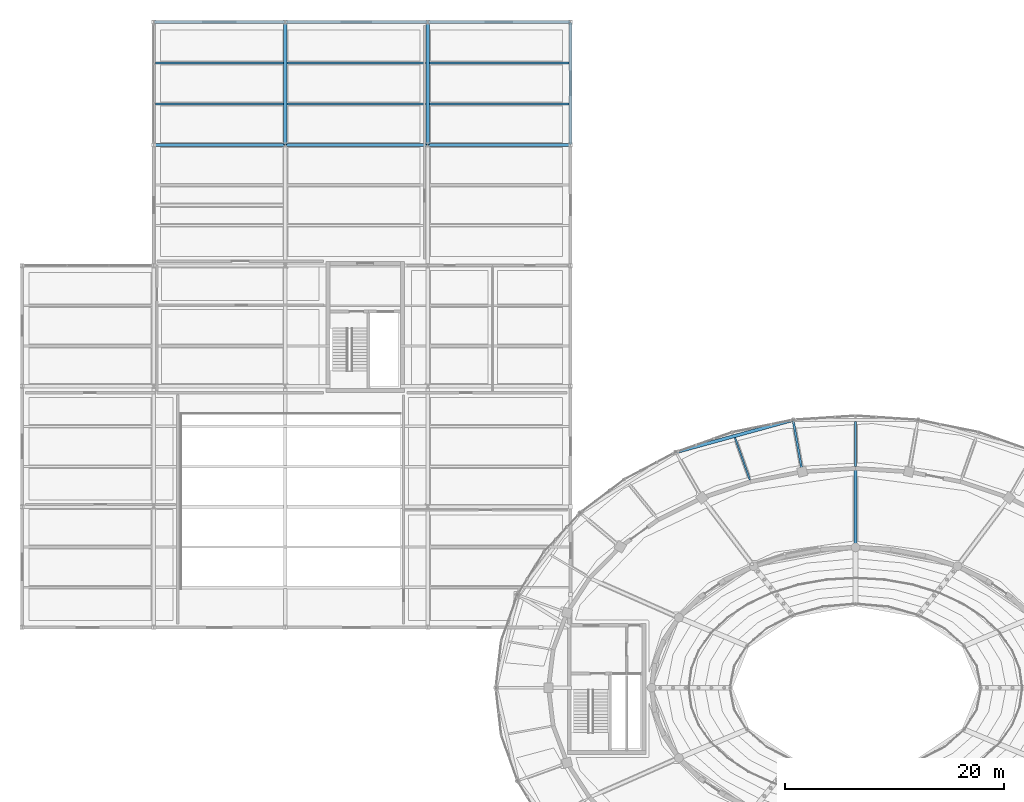
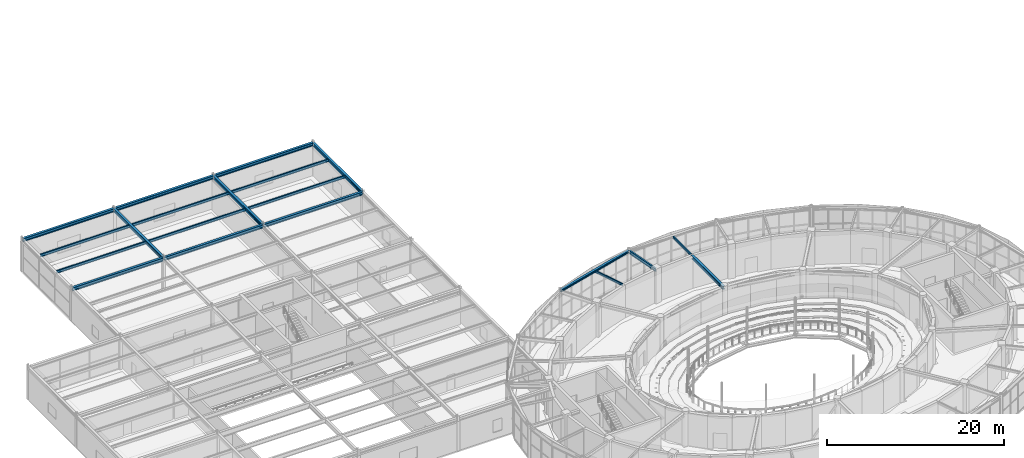
# One storey, part 49 of 100: 20 beams.
"""IFC4 building model written with IfcOpenShell, lengths in metres."""

from ifc_helpers import new_model, si_unit, direction, frame, origin, origin_2d, place, context, subcontext, project, spatial, i_section, extrude, material, material_profile, profile_set, type_object, element, save


model = new_model("IFC4")

# Units and contexts
model_context = context("Model", 3, precision=1e-05, world=origin(), true_north=direction((0.0, 1.0)))
body_context = subcontext(model_context, "Body", "Model", "MODEL_VIEW")
ifc_project = project(units=[si_unit("LENGTHUNIT", "METRE"), si_unit("AREAUNIT", "SQUARE_METRE"), si_unit("VOLUMEUNIT", "CUBIC_METRE"), si_unit("PLANEANGLEUNIT", "RADIAN"), si_unit("MASSUNIT", "GRAM", prefix="KILO")], contexts=[model_context])

# Site, building, storey
site_placement = place(None, origin())
site = spatial("IfcSite", under=ifc_project, at=site_placement, CompositionType="ELEMENT")
building_placement = place(site_placement, origin())
building = spatial("IfcBuilding", under=site, at=building_placement, Name="Tarnveldt Headland Concert Hall", CompositionType="ELEMENT")
storey_placement = place(building_placement, frame((0.0, 0.0, 4.800048828125)))
storey = spatial("IfcBuildingStorey", under=building, at=storey_placement, Name="L01", CompositionType="ELEMENT", Elevation=4.800048828125)

# Beams
ifc_material = material(Name="Steel S355", Category="steel")
ifc_material_profile_1 = material_profile(ifc_material, i_section(OverallWidth=0.300048828125, OverallDepth=0.2900390625, WebThickness=0.008544921875, FlangeThickness=0.013916015625, FilletRadius=0.027099609375, at=origin_2d()), Name="HEA300", Category="steel")
ifc_profile_set_1 = profile_set([ifc_material_profile_1], Name="Steel S355")
beam_type_1 = type_object("IfcBeamType", Name="SB-HEA300", PredefinedType="SPANDREL", material=ifc_profile_set_1)
beam_1_placement = place(storey_placement, frame((77.74658203125, 78.9072265625, 4.39501953125), z_axis=(-0.964161617091, -0.265315616065, 0.0), x_axis=(0.265315616065, -0.964161617091, 0.0)))
element("IfcBeam", 1, at=beam_1_placement, inside=storey, type_object=beam_type_1, Name="Framing beam L01-693", PredefinedType="SPANDREL", context=body_context, shape_type="SweptSolid", body=[
    extrude(i_section(OverallWidth=0.300048828125, OverallDepth=0.2900390625, WebThickness=0.008544921875, FlangeThickness=0.013916015625, FilletRadius=0.027099609375, at=origin_2d()), origin(), (0.0, 0.0, 1.0), 10.982421875),
])
ifc_material_profile_2 = material_profile(ifc_material, i_section(OverallWidth=0.300048828125, OverallDepth=0.449951171875, WebThickness=0.013916015625, FlangeThickness=0.02587890625, FilletRadius=0.027099609375, at=origin_2d()), Name="HEB450", Category="steel")
ifc_profile_set_2 = profile_set([ifc_material_profile_2], Name="Steel S355")
beam_type_2 = type_object("IfcBeamType", Name="SB-HEB450", PredefinedType="BEAM", material=ifc_profile_set_2)
beam_2_placement = place(storey_placement, frame((83.5, 67.340087890625, 4.31494140625), z_axis=(0.0, 1.0, 0.0), x_axis=(-1.0, 0.0, 0.0)))
element("IfcBeam", 2, at=beam_2_placement, inside=storey, type_object=beam_type_2, Name="Framing beam L01-738", PredefinedType="BEAM", context=body_context, shape_type="SweptSolid", body=[
    extrude(i_section(OverallWidth=0.300048828125, OverallDepth=0.449951171875, WebThickness=0.013916015625, FlangeThickness=0.02587890625, FilletRadius=0.027099609375, at=origin_2d()), origin(), (0.0, 0.0, 1.0), 7.119873046875),
])
beam_3_placement = place(storey_placement, frame((19.56005859375, 104.0, 4.31494140625), z_axis=(1.0, 0.0, 0.0), x_axis=(0.0, 1.0, 0.0)))
element("IfcBeam", 3, at=beam_3_placement, inside=storey, type_object=beam_type_2, Name="Framing beam L01-933", PredefinedType="BEAM", context=body_context, shape_type="SweptSolid", body=[
    extrude(i_section(OverallWidth=0.300048828125, OverallDepth=0.449951171875, WebThickness=0.013916015625, FlangeThickness=0.02587890625, FilletRadius=0.027099609375, at=origin_2d()), origin(), (0.0, 0.0, 1.0), 11.8798828125),
])
for number, where, z_axis, x_axis, name in (
    (4, (31.56005859375, 104.0, 4.31494140625), (1.0, 0.0, 0.0), (0.0, 1.0, 0.0), "Framing beam L01-934"),
    (5, (44.56005859375, 104.0, 4.31494140625), (1.0, 0.0, 0.0), (0.0, 1.0, 0.0), "Framing beam L01-935"),
):
    element("IfcBeam", number, at=place(storey_placement, frame(where, z_axis=z_axis, x_axis=x_axis)), inside=storey, type_object=beam_type_2, Name=name, PredefinedType="BEAM", context=body_context, shape_type="SweptSolid", body=[
        extrude(i_section(OverallWidth=0.300048828125, OverallDepth=0.449951171875, WebThickness=0.013916015625, FlangeThickness=0.02587890625, FilletRadius=0.027099609375, at=origin_2d()), origin(), (0.0, 0.0, 1.0), 12.8798828125),
    ])
beam_4_placement = place(storey_placement, frame((19.56005859375, 115.199951171875, 4.31494140625), z_axis=(1.0, 0.0, 0.0), x_axis=(0.0, 1.0, 0.0)))
element("IfcBeam", 6, at=beam_4_placement, inside=storey, type_object=beam_type_2, Name="Framing beam L01-936", PredefinedType="BEAM", context=body_context, shape_type="SweptSolid", body=[
    extrude(i_section(OverallWidth=0.300048828125, OverallDepth=0.449951171875, WebThickness=0.013916015625, FlangeThickness=0.02587890625, FilletRadius=0.027099609375, at=origin_2d()), origin(), (0.0, 0.0, 1.0), 11.8798828125),
])
for number, where, z_axis, x_axis, name in (
    (7, (31.56005859375, 115.199951171875, 4.31494140625), (1.0, 0.0, 0.0), (0.0, 1.0, 0.0), "Framing beam L01-937"),
    (8, (44.56005859375, 115.199951171875, 4.31494140625), (1.0, 0.0, 0.0), (0.0, 1.0, 0.0), "Framing beam L01-938"),
):
    element("IfcBeam", number, at=place(storey_placement, frame(where, z_axis=z_axis, x_axis=x_axis)), inside=storey, type_object=beam_type_2, Name=name, PredefinedType="BEAM", context=body_context, shape_type="SweptSolid", body=[
        extrude(i_section(OverallWidth=0.300048828125, OverallDepth=0.449951171875, WebThickness=0.013916015625, FlangeThickness=0.02587890625, FilletRadius=0.027099609375, at=origin_2d()), origin(), (0.0, 0.0, 1.0), 12.8798828125),
    ])
for number, where, z_axis, x_axis, name in (
    (9, (31.5, 104.06005859375, 4.31494140625), (0.0, 1.0, 0.0), (-1.0, 0.0, 0.0), "Framing beam L01-971"),
    (10, (44.5, 104.06005859375, 4.31494140625), (0.0, 1.0, 0.0), (-1.0, 0.0, 0.0), "Framing beam L01-986"),
    (11, (57.5, 104.06005859375, 4.31494140625), (0.0, 1.0, 0.0), (-1.0, 0.0, 0.0), "Framing beam L01-993"),
):
    element("IfcBeam", number, at=place(storey_placement, frame(where, z_axis=z_axis, x_axis=x_axis)), inside=storey, type_object=beam_type_2, Name=name, PredefinedType="BEAM", context=body_context, shape_type="SweptSolid", body=[
        extrude(i_section(OverallWidth=0.300048828125, OverallDepth=0.449951171875, WebThickness=0.013916015625, FlangeThickness=0.02587890625, FilletRadius=0.027099609375, at=origin_2d()), origin(), (0.0, 0.0, 1.0), 11.079833984375),
    ])
ifc_material_profile_3 = material_profile(ifc_material, i_section(OverallWidth=0.14990234375, OverallDepth=0.300048828125, WebThickness=0.007080078125, FlangeThickness=0.0107421875, FilletRadius=0.014892578125, at=origin_2d()), Name="IPE300", Category="steel")
ifc_profile_set_3 = profile_set([ifc_material_profile_3], Name="Steel S355")
beam_type_3 = type_object("IfcBeamType", Name="SB-IPE300", PredefinedType="JOIST", material=ifc_profile_set_3)
beam_5_placement = place(storey_placement, frame((83.5, 74.675048828125, 4.389892578125), z_axis=(0.0, 1.0, 0.0), x_axis=(-1.0, 0.0, 0.0)))
element("IfcBeam", 12, at=beam_5_placement, inside=storey, type_object=beam_type_3, Name="Framing beam L01-692", PredefinedType="JOIST", context=body_context, shape_type="SweptSolid", body=[
    extrude(i_section(OverallWidth=0.14990234375, OverallDepth=0.300048828125, WebThickness=0.007080078125, FlangeThickness=0.0107421875, FilletRadius=0.014892578125, at=origin_2d()), origin(), (0.0, 0.0, 1.0), 4.09814453125),
])
beam_6_placement = place(storey_placement, frame((73.864990234375, 73.458984375, 4.389892578125), z_axis=(-0.33369553072, 0.942680907188, 0.0), x_axis=(-0.942680907188, -0.33369553072, 0.0)))
element("IfcBeam", 13, at=beam_6_placement, inside=storey, type_object=beam_type_3, Name="Framing beam L01-695", PredefinedType="JOIST", context=body_context, shape_type="SweptSolid", body=[
    extrude(i_section(OverallWidth=0.14990234375, OverallDepth=0.300048828125, WebThickness=0.007080078125, FlangeThickness=0.0107421875, FilletRadius=0.014892578125, at=origin_2d()), origin(), (0.0, 0.0, 1.0), 4.083984375),
])
ifc_material_profile_4 = material_profile(ifc_material, i_section(OverallWidth=0.169921875, OverallDepth=0.360107421875, WebThickness=0.008056640625, FlangeThickness=0.0126953125, FilletRadius=0.01806640625, at=origin_2d()), Name="IPE360", Category="steel")
ifc_profile_set_4 = profile_set([ifc_material_profile_4], Name="Steel S355")
beam_type_4 = type_object("IfcBeamType", Name="SB-IPE360", PredefinedType="JOIST", material=ifc_profile_set_4)
for number, where, z_axis, x_axis, name in (
    (14, (19.64990234375, 107.73291015625, 4.35986328125), (1.0, 0.0, 0.0), (0.0, 1.0, 0.0), "Framing beam L01-961"),
    (15, (19.64990234375, 111.467041015625, 4.35986328125), (1.0, 0.0, 0.0), (0.0, 1.0, 0.0), "Framing beam L01-962"),
):
    element("IfcBeam", number, at=place(storey_placement, frame(where, z_axis=z_axis, x_axis=x_axis)), inside=storey, type_object=beam_type_4, Name=name, PredefinedType="JOIST", context=body_context, shape_type="SweptSolid", body=[
        extrude(i_section(OverallWidth=0.169921875, OverallDepth=0.360107421875, WebThickness=0.008056640625, FlangeThickness=0.0126953125, FilletRadius=0.01806640625, at=origin_2d()), origin(), (0.0, 0.0, 1.0), 11.7001953125),
    ])
for number, where, z_axis, x_axis, name in (
    (16, (31.64990234375, 107.73291015625, 4.35986328125), (1.0, 0.0, 0.0), (0.0, 1.0, 0.0), "Framing beam L01-972"),
    (17, (31.64990234375, 111.467041015625, 4.35986328125), (1.0, 0.0, 0.0), (0.0, 1.0, 0.0), "Framing beam L01-973"),
    (18, (44.64990234375, 107.73291015625, 4.35986328125), (1.0, 0.0, 0.0), (0.0, 1.0, 0.0), "Framing beam L01-987"),
    (19, (44.64990234375, 111.467041015625, 4.35986328125), (1.0, 0.0, 0.0), (0.0, 1.0, 0.0), "Framing beam L01-988"),
):
    element("IfcBeam", number, at=place(storey_placement, frame(where, z_axis=z_axis, x_axis=x_axis)), inside=storey, type_object=beam_type_4, Name=name, PredefinedType="JOIST", context=body_context, shape_type="SweptSolid", body=[
        extrude(i_section(OverallWidth=0.169921875, OverallDepth=0.360107421875, WebThickness=0.008056640625, FlangeThickness=0.0126953125, FilletRadius=0.01806640625, at=origin_2d()), origin(), (0.0, 0.0, 1.0), 12.7001953125),
    ])
ifc_material_profile_5 = material_profile(ifc_material, i_section(OverallWidth=0.18994140625, OverallDepth=0.449951171875, WebThickness=0.009521484375, FlangeThickness=0.0146484375, FilletRadius=0.02099609375, at=origin_2d()), Name="IPE450", Category="steel")
ifc_profile_set_5 = profile_set([ifc_material_profile_5], Name="Steel S355")
beam_type_5 = type_object("IfcBeamType", Name="SB-IPE450", PredefinedType="BEAM", material=ifc_profile_set_5)
beam_7_placement = place(storey_placement, frame((78.631103515625, 74.235595703125, 4.31494140625), z_axis=(-0.173708285572, 0.984797152475, 0.0), x_axis=(-0.984797152475, -0.173708285572, 0.0)))
element("IfcBeam", 20, at=beam_7_placement, inside=storey, type_object=beam_type_5, Name="Framing beam L01-694", PredefinedType="BEAM", context=body_context, shape_type="SweptSolid", body=[
    extrude(i_section(OverallWidth=0.18994140625, OverallDepth=0.449951171875, WebThickness=0.009521484375, FlangeThickness=0.0146484375, FilletRadius=0.02099609375, at=origin_2d()), origin(), (0.0, 0.0, 1.0), 4.699951171875),
])

save(model, "model.ifc")
